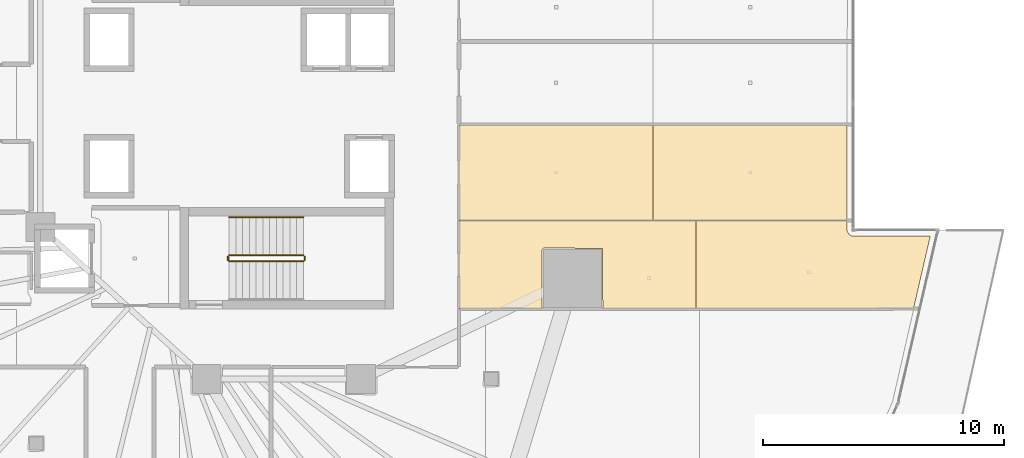
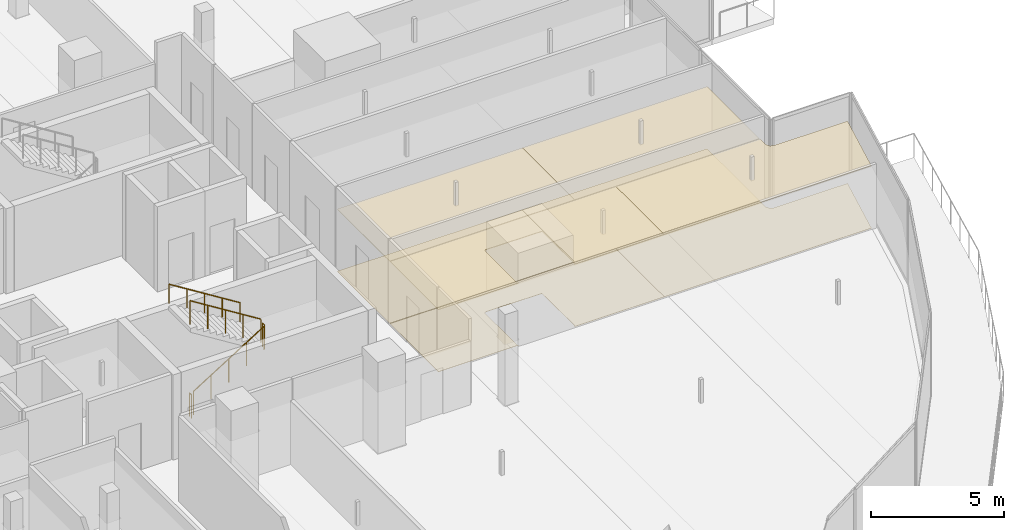
# One storey, part 47 of 52: 8 coverings, 5 railings.
"""IFC4 building model written with IfcOpenShell, lengths in metres."""

from ifc_helpers import new_model, si_unit, direction, frame, origin, origin_2d, place, context, subcontext, project, spatial, polyline, circle, outline, extrude, material, layer, layer_set, type_object, element, save


model = new_model("IFC4")

# Units and contexts
model_context = context("Model", 3, precision=1e-05, world=origin(), true_north=direction((0.0, 1.0)))
body_context = subcontext(model_context, "Body", "Model", "MODEL_VIEW")
ifc_project = project(units=[si_unit("LENGTHUNIT", "METRE"), si_unit("AREAUNIT", "SQUARE_METRE"), si_unit("VOLUMEUNIT", "CUBIC_METRE"), si_unit("PLANEANGLEUNIT", "RADIAN"), si_unit("MASSUNIT", "GRAM", prefix="KILO")], contexts=[model_context])

# Site, building, storey
site_placement = place(None, origin())
site = spatial("IfcSite", under=ifc_project, at=site_placement, CompositionType="ELEMENT")
building_placement = place(site_placement, origin())
building = spatial("IfcBuilding", under=site, at=building_placement, Name="Qorvath Tower", CompositionType="ELEMENT")
storey_placement = place(building_placement, frame((0.0, 0.0, 61.800048828125)))
storey = spatial("IfcBuildingStorey", under=building, at=storey_placement, Name="L13", CompositionType="ELEMENT", Elevation=61.800048828125)

# Coverings
ifc_material_1 = material(Name="Acoustic mineral fibre ceiling tile", Category="gypsum")
ifc_layer_1 = layer(ifc_material_1, 0.030029296875)
ifc_layer_set_1 = layer_set([ifc_layer_1], Name="COV-CEIL")
covering_type_1 = type_object("IfcCoveringType", Name="COV-CEIL", PredefinedType="CEILING", material=ifc_layer_set_1)
covering_1_placement = place(storey_placement, frame((0.0, 0.0, 2.849853515625)))
element("IfcCovering", 1, at=covering_1_placement, inside=storey, type_object=covering_type_1, Name="L13 Suspended Acoustic Ceiling 028", PredefinedType="CEILING", context=body_context, shape_type="SweptSolid", body=[
    extrude(outline(polyline([(-3.2998046875, -8.529052734375), (-3.2998046875, -4.88330078125), (-13.136962890625, -4.88330078125), (-13.136962890625, -8.537109375), (-9.6357421875, -8.5341796875), (-9.690185546875, -8.476318359375), (-9.690185546875, -6.076416015625), (-9.63037109375, -6.016357421875), (-7.18798828125, -6.033935546875), (-7.17041015625, -8.476318359375), (-7.22021484375, -8.5322265625), (-3.2998046875, -8.529052734375)])), origin(), (0.0, 0.0, 1.0), 0.030029296875),
])
covering_2_placement = place(storey_placement, frame((0.0, 0.0, 2.849853515625)))
element("IfcCovering", 2, at=covering_2_placement, inside=storey, type_object=covering_type_1, Name="L13 Suspended Acoustic Ceiling 029", PredefinedType="CEILING", context=body_context, shape_type="SweptSolid", body=[
    extrude(outline(polyline([(3.056396484375, -5.46630859375), (2.96923828125, -5.3193359375), (2.96435546875, -4.88330078125), (-3.2998046875, -4.88330078125), (-3.2998046875, -8.529052734375), (5.7216796875, -8.521728515625), (6.41259765625, -5.525390625), (3.19482421875, -5.524169921875), (3.056396484375, -5.46630859375)])), origin(), (0.0, 0.0, 1.0), 0.030029296875),
])
covering_3_placement = place(storey_placement, frame((0.0, 0.0, 2.849853515625)))
element("IfcCovering", 3, at=covering_3_placement, inside=storey, type_object=covering_type_1, Name="L13 Suspended Acoustic Ceiling 030", PredefinedType="CEILING", context=body_context, shape_type="SweptSolid", body=[
    extrude(outline(polyline([(-13.136962890625, -4.865234375), (-5.086181640625, -4.865234375), (-5.086181640625, -0.9052734375), (-13.136962890625, -0.9052734375), (-13.136962890625, -4.865234375)])), origin(), (0.0, 0.0, 1.0), 0.030029296875),
])
covering_4_placement = place(storey_placement, frame((0.0, 0.0, 2.849853515625)))
element("IfcCovering", 4, at=covering_4_placement, inside=storey, type_object=covering_type_1, Name="L13 Suspended Acoustic Ceiling 031", PredefinedType="CEILING", context=body_context, shape_type="SweptSolid", body=[
    extrude(outline(polyline([(-5.086181640625, -0.9052734375), (-5.086181640625, -4.865234375), (2.96435546875, -4.865234375), (2.96435546875, -0.9052734375), (-5.086181640625, -0.9052734375)])), origin(), (0.0, 0.0, 1.0), 0.030029296875),
])
ifc_material_2 = material(Name="Low-VOC modular carpet tile", Category="textile")
ifc_layer_2 = layer(ifc_material_2, 0.014892578125)
ifc_layer_set_2 = layer_set([ifc_layer_2], Name="COV-FLOOR-CPT")
covering_type_2 = type_object("IfcCoveringType", Name="COV-FLOOR-CPT", PredefinedType="FLOORING", material=ifc_layer_set_2)
covering_5_placement = place(storey_placement, origin())
element("IfcCovering", 5, at=covering_5_placement, inside=storey, type_object=covering_type_2, Name="L13 Floor Finish 028", PredefinedType="FLOORING", context=body_context, shape_type="SweptSolid", body=[
    extrude(outline(polyline([(-3.2998046875, -8.529052734375), (-3.2998046875, -4.88330078125), (-13.136962890625, -4.88330078125), (-13.136962890625, -8.537109375), (-9.6357421875, -8.5341796875), (-9.690185546875, -8.476318359375), (-9.690185546875, -6.076416015625), (-9.63037109375, -6.016357421875), (-7.18798828125, -6.033935546875), (-7.17041015625, -8.476318359375), (-7.22021484375, -8.5322265625), (-3.2998046875, -8.529052734375)])), origin(), (0.0, 0.0, 1.0), 0.014892578125),
])
covering_6_placement = place(storey_placement, origin())
element("IfcCovering", 6, at=covering_6_placement, inside=storey, type_object=covering_type_2, Name="L13 Floor Finish 029", PredefinedType="FLOORING", context=body_context, shape_type="SweptSolid", body=[
    extrude(outline(polyline([(3.056396484375, -5.46630859375), (2.96923828125, -5.3193359375), (2.96435546875, -4.88330078125), (-3.2998046875, -4.88330078125), (-3.2998046875, -8.529052734375), (5.7216796875, -8.521728515625), (6.41259765625, -5.525390625), (3.19482421875, -5.524169921875), (3.056396484375, -5.46630859375)])), origin(), (0.0, 0.0, 1.0), 0.014892578125),
])
covering_7_placement = place(storey_placement, origin())
element("IfcCovering", 7, at=covering_7_placement, inside=storey, type_object=covering_type_2, Name="L13 Floor Finish 030", PredefinedType="FLOORING", context=body_context, shape_type="SweptSolid", body=[
    extrude(outline(polyline([(-13.136962890625, -4.865234375), (-5.086181640625, -4.865234375), (-5.086181640625, -0.9052734375), (-13.136962890625, -0.9052734375), (-13.136962890625, -4.865234375)])), origin(), (0.0, 0.0, 1.0), 0.014892578125),
])
covering_8_placement = place(storey_placement, origin())
element("IfcCovering", 8, at=covering_8_placement, inside=storey, type_object=covering_type_2, Name="L13 Floor Finish 031", PredefinedType="FLOORING", context=body_context, shape_type="SweptSolid", body=[
    extrude(outline(polyline([(-5.086181640625, -0.9052734375), (-5.086181640625, -4.865234375), (2.96435546875, -4.865234375), (2.96435546875, -0.9052734375), (-5.086181640625, -0.9052734375)])), origin(), (0.0, 0.0, 1.0), 0.014892578125),
])

# Railings
ifc_material_3 = material(Name="Painted galvanised steel", Category="steel")
railing_type_1 = type_object("IfcRailingType", Name="RL-STR-GRD", PredefinedType="GUARDRAIL", material=ifc_material_3)
railing_1_placement = place(storey_placement, frame((-22.669921875, -6.570068359375, 0.175048828125)))
element("IfcRailing", 9, at=railing_1_placement, inside=storey, type_object=railing_type_1, Name="L13 TS2 stair guard 1", PredefinedType="GUARDRAIL", context=body_context, shape_type="SweptSolid", body=[
    extrude(circle(Radius=0.02392578125, at=origin_2d()), frame((0.0, 0.0, 1.076171875), z_axis=(0.848009633417, 0.0, 0.529980812513), x_axis=(0.0, 1.0, 0.0)), (0.0, 0.0, 1.0), 3.6318359375),
    extrude(circle(Radius=0.02099609375, at=origin_2d()), origin(), (0.0, 0.0, 1.0), 1.052001953125),
    extrude(circle(Radius=0.02099609375, at=origin_2d()), frame((0.77001953125, 0.0, 0.481201171875)), (0.0, 0.0, 1.0), 1.052001953125),
    extrude(circle(Radius=0.02099609375, at=origin_2d()), frame((1.5400390625, 0.0, 0.96240234375)), (0.0, 0.0, 1.0), 1.052001953125),
    extrude(circle(Radius=0.02099609375, at=origin_2d()), frame((2.309814453125, 0.0, 1.443603515625)), (0.0, 0.0, 1.0), 1.052001953125),
    extrude(circle(Radius=0.02099609375, at=origin_2d()), frame((3.079833984375, 0.0, 1.9248046875)), (0.0, 0.0, 1.0), 1.052001953125),
])
railing_2_placement = place(storey_placement, frame((-19.5400390625, -6.52001953125, 2.099853515625)))
element("IfcRailing", 10, at=railing_2_placement, inside=storey, type_object=railing_type_1, Name="L13 TS2 stair guard 2", PredefinedType="GUARDRAIL", context=body_context, shape_type="SweptSolid", body=[
    extrude(circle(Radius=0.02392578125, at=origin_2d()), frame((0.0, 0.0, 1.076171875), z_axis=(0.0, 1.0, 0.0), x_axis=(-1.0, 0.0, 0.0)), (0.0, 0.0, 1.0), 0.14990234375),
    extrude(circle(Radius=0.02099609375, at=origin_2d()), origin(), (0.0, 0.0, 1.0), 1.052001953125),
    extrude(circle(Radius=0.02099609375, at=origin_2d()), frame((0.0, 0.14990234375, 0.0)), (0.0, 0.0, 1.0), 1.052001953125),
])
railing_3_placement = place(storey_placement, frame((-19.590087890625, -6.320068359375, 2.27490234375)))
element("IfcRailing", 11, at=railing_3_placement, inside=storey, type_object=railing_type_1, Name="L13 TS2 stair guard 3", PredefinedType="GUARDRAIL", context=body_context, shape_type="SweptSolid", body=[
    extrude(circle(Radius=0.02392578125, at=origin_2d()), frame((0.0, 0.0, 1.076171875), z_axis=(-0.847979421464, 0.0, 0.530029150871), x_axis=(0.0, -1.0, 0.0)), (0.0, 0.0, 1.0), 3.632080078125),
    extrude(circle(Radius=0.02099609375, at=origin_2d()), origin(), (0.0, 0.0, 1.0), 1.052001953125),
    extrude(circle(Radius=0.02099609375, at=origin_2d()), frame((-0.77001953125, 0.0, 0.481201171875)), (0.0, 0.0, 1.0), 1.052001953125),
    extrude(circle(Radius=0.02099609375, at=origin_2d()), frame((-1.5400390625, 0.0, 0.96240234375)), (0.0, 0.0, 1.0), 1.052001953125),
    extrude(circle(Radius=0.02099609375, at=origin_2d()), frame((-2.309814453125, 0.0, 1.44384765625)), (0.0, 0.0, 1.0), 1.052001953125),
    extrude(circle(Radius=0.02099609375, at=origin_2d()), frame((-3.079833984375, 0.0, 1.925048828125)), (0.0, 0.0, 1.0), 1.052001953125),
])
railing_4_placement = place(storey_placement, frame((-22.719970703125, -6.52001953125, 0.0)))
element("IfcRailing", 12, at=railing_4_placement, inside=storey, type_object=railing_type_1, Name="L13 TS2 stair guard 4", PredefinedType="GUARDRAIL", context=body_context, shape_type="SweptSolid", body=[
    extrude(circle(Radius=0.02392578125, at=origin_2d()), frame((0.0, 0.0, 1.076171875), z_axis=(0.0, 1.0, 0.0), x_axis=(-1.0, 0.0, 0.0)), (0.0, 0.0, 1.0), 0.14990234375),
    extrude(circle(Radius=0.02099609375, at=origin_2d()), origin(), (0.0, 0.0, 1.0), 1.052001953125),
    extrude(circle(Radius=0.02099609375, at=origin_2d()), frame((0.0, 0.14990234375, 0.0)), (0.0, 0.0, 1.0), 1.052001953125),
])
ifc_material_4 = material(Name="Brushed stainless steel AISI 304", Category="steel")
railing_type_2 = type_object("IfcRailingType", Name="RL-STR-HND", PredefinedType="HANDRAIL", material=ifc_material_4)
railing_5_placement = place(storey_placement, frame((-19.590087890625, -4.739990234375, 2.27490234375)))
element("IfcRailing", 13, at=railing_5_placement, inside=storey, type_object=railing_type_2, Name="L13 TS2 stair handrail 2", PredefinedType="HANDRAIL", context=body_context, shape_type="SweptSolid", body=[
    extrude(circle(Radius=0.02392578125, at=origin_2d()), frame((0.0, 0.0, 0.8759765625), z_axis=(-0.847979421464, 0.0, 0.530029150871), x_axis=(0.0, -1.0, 0.0)), (0.0, 0.0, 1.0), 3.632080078125),
    extrude(circle(Radius=0.02099609375, at=origin_2d()), origin(), (0.0, 0.0, 1.0), 0.851806640625),
    extrude(circle(Radius=0.02099609375, at=origin_2d()), frame((-0.77001953125, 0.0, 0.481201171875)), (0.0, 0.0, 1.0), 0.851806640625),
    extrude(circle(Radius=0.02099609375, at=origin_2d()), frame((-1.5400390625, 0.0, 0.96240234375)), (0.0, 0.0, 1.0), 0.851806640625),
    extrude(circle(Radius=0.02099609375, at=origin_2d()), frame((-2.309814453125, 0.0, 1.44384765625)), (0.0, 0.0, 1.0), 0.851806640625),
    extrude(circle(Radius=0.02099609375, at=origin_2d()), frame((-3.079833984375, 0.0, 1.925048828125)), (0.0, 0.0, 1.0), 0.851806640625),
])

save(model, "model.ifc")
